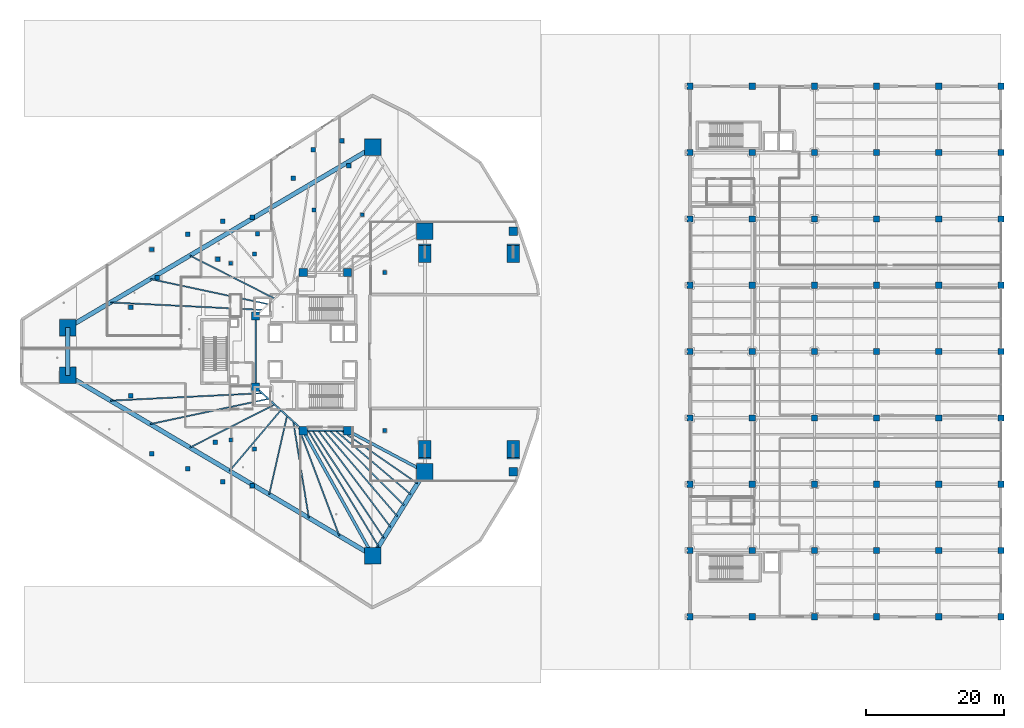
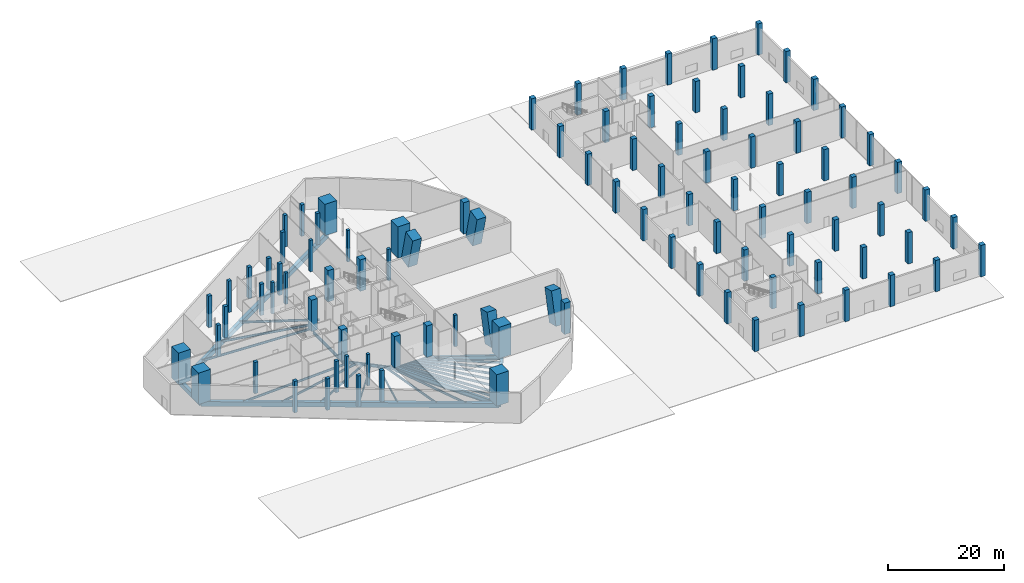
# One storey, part 1 of 45: 98 columns, 26 beams.
"""IFC4 building model written with IfcOpenShell, lengths in metres."""

from ifc_helpers import new_model, si_unit, direction, frame, origin, origin_2d, place, context, subcontext, project, spatial, rectangle, i_section, extrude, material, material_profile, profile_set, type_object, element, save


model = new_model("IFC4")

# Units and contexts
model_context = context("Model", 3, precision=1e-05, world=origin(), true_north=direction((0.0, 1.0)))
body_context = subcontext(model_context, "Body", "Model", "MODEL_VIEW")
ifc_project = project(units=[si_unit("LENGTHUNIT", "METRE"), si_unit("AREAUNIT", "SQUARE_METRE"), si_unit("VOLUMEUNIT", "CUBIC_METRE"), si_unit("PLANEANGLEUNIT", "RADIAN"), si_unit("MASSUNIT", "GRAM", prefix="KILO")], contexts=[model_context])

# Site, building, storey
site_placement = place(None, origin())
site = spatial("IfcSite", under=ifc_project, at=site_placement, CompositionType="ELEMENT")
building_placement = place(site_placement, origin())
building = spatial("IfcBuilding", under=site, at=building_placement, Name="Qorvath Tower", CompositionType="ELEMENT")
storey_placement = place(building_placement, origin())
storey = spatial("IfcBuildingStorey", under=building, at=storey_placement, Name="L00", CompositionType="ELEMENT", Elevation=0.0)

# Columns
ifc_material_1 = material(Name="Concrete C70/85", Category="concrete")
ifc_material_profile_1 = material_profile(ifc_material_1, rectangle(XDim=1.800048828125, YDim=2.39990234375, at=origin_2d()), Name="ARCH 2400x1800")
ifc_profile_set_1 = profile_set([ifc_material_profile_1], Name="Concrete C70/85")
column_type_1 = type_object("IfcColumnType", Name="COL-ARCH1", PredefinedType="PILASTER", material=ifc_profile_set_1)
for number, where, z_axis, x_axis, name in (
    (1, (6.800048828125, 14.386962890625, 0.053466796875), (0.0, -0.235582246127, 0.971854415697), (1.0, 0.0, 0.0), "Giant Concrete Arch Rib Chord ARCH-FRONT-N-L00"),
    (2, (6.800048828125, -14.386962890625, 0.053466796875), (0.0, 0.235582246127, 0.971854415697), (-1.0, 0.0, 0.0), "Giant Concrete Arch Rib Chord ARCH-FRONT-S-L00"),
    (3, (-6.0, 14.386962890625, 0.053466796875), (0.0, -0.235582246127, 0.971854415697), (1.0, 0.0, 0.0), "Giant Concrete Arch Rib Chord ARCH-INNER-N-L00"),
    (4, (-6.0, -14.386962890625, 0.053466796875), (0.0, 0.235582246127, 0.971854415697), (-1.0, 0.0, 0.0), "Giant Concrete Arch Rib Chord ARCH-INNER-S-L00"),
):
    element("IfcColumn", number, at=place(storey_placement, frame(where, z_axis=z_axis, x_axis=x_axis)), inside=storey, type_object=column_type_1, Name=name, PredefinedType="PILASTER", context=body_context, shape_type="SweptSolid", body=[
        extrude(rectangle(XDim=1.800048828125, YDim=2.39990234375, at=origin_2d()), origin(), (0.0, 0.0, 1.0), 6.68115234375),
    ])
ifc_material_2 = material(Name="Concrete C70/85", Category="concrete")
ifc_material_profile_2 = material_profile(ifc_material_2, rectangle(XDim=2.39990234375, YDim=2.39990234375, at=origin_2d()), Name="MC 2400x2400")
ifc_profile_set_2 = profile_set([ifc_material_profile_2], Name="Concrete C70/85")
column_type_2 = type_object("IfcColumnType", Name="COL-MC1", PredefinedType="COLUMN", material=ifc_profile_set_2)
for number, where, z_axis, x_axis, name in (
    (5, (-57.679931640625, 3.4560546875, 0.0), (0.0, 0.0, 1.0), (1.0, 0.0, 0.0), "Composite Mega-Column MC1 L00"),
    (6, (-57.679931640625, -3.4560546875, 0.0), (0.0, 0.0, 1.0), (1.0, 0.0, 0.0), "Composite Mega-Column MC2 L00"),
    (7, (-13.52001953125, -29.568115234375, 0.0), (0.0, 0.0, 1.0), (1.0, 0.0, 0.0), "Composite Mega-Column MC3 L00"),
    (8, (-6.0, -17.39990234375, 0.0), (0.0, 0.0, 1.0), (1.0, 0.0, 0.0), "Composite Mega-Column MC4 L00"),
    (9, (-6.0, 17.39990234375, 0.0), (0.0, 0.0, 1.0), (1.0, 0.0, 0.0), "Composite Mega-Column MC5 L00"),
    (10, (-13.52001953125, 29.568115234375, 0.0), (0.0, 0.0, 1.0), (1.0, 0.0, 0.0), "Composite Mega-Column MC6 L00"),
):
    element("IfcColumn", number, at=place(storey_placement, frame(where, z_axis=z_axis, x_axis=x_axis)), inside=storey, type_object=column_type_2, Name=name, PredefinedType="COLUMN", context=body_context, shape_type="SweptSolid", body=[
        extrude(rectangle(XDim=2.39990234375, YDim=2.39990234375, at=origin_2d()), origin(), (0.0, 0.0, 1.0), 6.60009765625),
    ])
ifc_material_3 = material(Name="Concrete C60/75", Category="concrete")
ifc_material_profile_3 = material_profile(ifc_material_3, rectangle(XDim=1.199951171875, YDim=1.199951171875, at=origin_2d()), Name="RC 1200x1200")
ifc_profile_set_3 = profile_set([ifc_material_profile_3], Name="Concrete C60/75")
column_type_3 = type_object("IfcColumnType", Name="COL-RC1", PredefinedType="COLUMN", material=ifc_profile_set_3)
for number, where, z_axis, x_axis, name in (
    (11, (6.800048828125, 17.39990234375, 0.0), (0.0, 0.0, 1.0), (1.0, 0.0, 0.0), "Arch Portal Pier FRONT-N L00"),
    (12, (6.800048828125, -17.39990234375, 0.0), (0.0, 0.0, 1.0), (1.0, 0.0, 0.0), "Arch Portal Pier FRONT-S L00"),
    (13, (-23.60009765625, 11.449951171875, 0.0), (0.0, 0.0, 1.0), (1.0, 0.0, 0.0), "Core Spine Column CC1 L00"),
    (14, (-17.199951171875, 11.449951171875, 0.0), (0.0, 0.0, 1.0), (1.0, 0.0, 0.0), "Core Spine Column CC2 L00"),
    (15, (-17.199951171875, -11.449951171875, 0.0), (0.0, 0.0, 1.0), (1.0, 0.0, 0.0), "Core Spine Column CC3 L00"),
    (16, (-23.60009765625, -11.449951171875, 0.0), (0.0, 0.0, 1.0), (1.0, 0.0, 0.0), "Core Spine Column CC4 L00"),
    (17, (-30.5, 5.14990234375, 0.0), (0.0, 0.0, 1.0), (1.0, 0.0, 0.0), "Core Spine Column CC5 L00"),
    (18, (-30.5, -5.14990234375, 0.0), (0.0, 0.0, 1.0), (1.0, 0.0, 0.0), "Core Spine Column CC6 L00"),
):
    element("IfcColumn", number, at=place(storey_placement, frame(where, z_axis=z_axis, x_axis=x_axis)), inside=storey, type_object=column_type_3, Name=name, PredefinedType="COLUMN", context=body_context, shape_type="SweptSolid", body=[
        extrude(rectangle(XDim=1.199951171875, YDim=1.199951171875, at=origin_2d()), origin(), (0.0, 0.0, 1.0), 6.60009765625),
    ])
ifc_material_4 = material(Name="Concrete C50/60", Category="concrete")
ifc_material_profile_4 = material_profile(ifc_material_4, rectangle(XDim=0.89990234375, YDim=0.89990234375, at=origin_2d()), Name="RC 900x900")
ifc_profile_set_4 = profile_set([ifc_material_profile_4], Name="Concrete C50/60")
column_type_4 = type_object("IfcColumnType", Name="COL-RC3", PredefinedType="COLUMN", material=ifc_profile_set_4)
for number, where, z_axis, x_axis, name in (
    (19, (32.39990234375, -38.39990234375, 0.0), (0.0, 0.0, 1.0), (1.0, 0.0, 0.0), "Library Column 1-1 L00"),
    (20, (32.39990234375, -28.800048828125, 0.0), (0.0, 0.0, 1.0), (1.0, 0.0, 0.0), "Library Column 1-2 L00"),
    (21, (32.39990234375, -19.199951171875, 0.0), (0.0, 0.0, 1.0), (1.0, 0.0, 0.0), "Library Column 1-3 L00"),
    (22, (32.39990234375, -9.60009765625, 0.0), (0.0, 0.0, 1.0), (1.0, 0.0, 0.0), "Library Column 1-4 L00"),
    (23, (32.39990234375, 0.0, 0.0), (0.0, 0.0, 1.0), (1.0, 0.0, 0.0), "Library Column 1-5 L00"),
    (24, (32.39990234375, 9.60009765625, 0.0), (0.0, 0.0, 1.0), (1.0, 0.0, 0.0), "Library Column 1-6 L00"),
    (25, (32.39990234375, 19.199951171875, 0.0), (0.0, 0.0, 1.0), (1.0, 0.0, 0.0), "Library Column 1-7 L00"),
    (26, (32.39990234375, 28.800048828125, 0.0), (0.0, 0.0, 1.0), (1.0, 0.0, 0.0), "Library Column 1-8 L00"),
    (27, (32.39990234375, 38.39990234375, 0.0), (0.0, 0.0, 1.0), (1.0, 0.0, 0.0), "Library Column 1-9 L00"),
    (28, (41.39990234375, -38.39990234375, 0.0), (0.0, 0.0, 1.0), (1.0, 0.0, 0.0), "Library Column 2-1 L00"),
    (29, (41.39990234375, -28.800048828125, 0.0), (0.0, 0.0, 1.0), (1.0, 0.0, 0.0), "Library Column 2-2 L00"),
    (30, (41.39990234375, -19.199951171875, 0.0), (0.0, 0.0, 1.0), (1.0, 0.0, 0.0), "Library Column 2-3 L00"),
    (31, (41.39990234375, -9.60009765625, 0.0), (0.0, 0.0, 1.0), (1.0, 0.0, 0.0), "Library Column 2-4 L00"),
    (32, (41.39990234375, 0.0, 0.0), (0.0, 0.0, 1.0), (1.0, 0.0, 0.0), "Library Column 2-5 L00"),
    (33, (41.39990234375, 9.60009765625, 0.0), (0.0, 0.0, 1.0), (1.0, 0.0, 0.0), "Library Column 2-6 L00"),
    (34, (41.39990234375, 19.199951171875, 0.0), (0.0, 0.0, 1.0), (1.0, 0.0, 0.0), "Library Column 2-7 L00"),
    (35, (41.39990234375, 28.800048828125, 0.0), (0.0, 0.0, 1.0), (1.0, 0.0, 0.0), "Library Column 2-8 L00"),
    (36, (41.39990234375, 38.39990234375, 0.0), (0.0, 0.0, 1.0), (1.0, 0.0, 0.0), "Library Column 2-9 L00"),
    (37, (50.39990234375, -38.39990234375, 0.0), (0.0, 0.0, 1.0), (1.0, 0.0, 0.0), "Library Column 3-1 L00"),
    (38, (50.39990234375, -28.800048828125, 0.0), (0.0, 0.0, 1.0), (1.0, 0.0, 0.0), "Library Column 3-2 L00"),
    (39, (50.39990234375, -19.199951171875, 0.0), (0.0, 0.0, 1.0), (1.0, 0.0, 0.0), "Library Column 3-3 L00"),
    (40, (50.39990234375, -9.60009765625, 0.0), (0.0, 0.0, 1.0), (1.0, 0.0, 0.0), "Library Column 3-4 L00"),
    (41, (50.39990234375, 0.0, 0.0), (0.0, 0.0, 1.0), (1.0, 0.0, 0.0), "Library Column 3-5 L00"),
    (42, (50.39990234375, 9.60009765625, 0.0), (0.0, 0.0, 1.0), (1.0, 0.0, 0.0), "Library Column 3-6 L00"),
    (43, (50.39990234375, 19.199951171875, 0.0), (0.0, 0.0, 1.0), (1.0, 0.0, 0.0), "Library Column 3-7 L00"),
    (44, (50.39990234375, 28.800048828125, 0.0), (0.0, 0.0, 1.0), (1.0, 0.0, 0.0), "Library Column 3-8 L00"),
    (45, (50.39990234375, 38.39990234375, 0.0), (0.0, 0.0, 1.0), (1.0, 0.0, 0.0), "Library Column 3-9 L00"),
    (46, (59.39990234375, -38.39990234375, 0.0), (0.0, 0.0, 1.0), (1.0, 0.0, 0.0), "Library Column 4-1 L00"),
    (47, (59.39990234375, -28.800048828125, 0.0), (0.0, 0.0, 1.0), (1.0, 0.0, 0.0), "Library Column 4-2 L00"),
    (48, (59.39990234375, -19.199951171875, 0.0), (0.0, 0.0, 1.0), (1.0, 0.0, 0.0), "Library Column 4-3 L00"),
    (49, (59.39990234375, -9.60009765625, 0.0), (0.0, 0.0, 1.0), (1.0, 0.0, 0.0), "Library Column 4-4 L00"),
    (50, (59.39990234375, 0.0, 0.0), (0.0, 0.0, 1.0), (1.0, 0.0, 0.0), "Library Column 4-5 L00"),
    (51, (59.39990234375, 9.60009765625, 0.0), (0.0, 0.0, 1.0), (1.0, 0.0, 0.0), "Library Column 4-6 L00"),
    (52, (59.39990234375, 19.199951171875, 0.0), (0.0, 0.0, 1.0), (1.0, 0.0, 0.0), "Library Column 4-7 L00"),
    (53, (59.39990234375, 28.800048828125, 0.0), (0.0, 0.0, 1.0), (1.0, 0.0, 0.0), "Library Column 4-8 L00"),
    (54, (59.39990234375, 38.39990234375, 0.0), (0.0, 0.0, 1.0), (1.0, 0.0, 0.0), "Library Column 4-9 L00"),
    (55, (68.39990234375, -38.39990234375, 0.0), (0.0, 0.0, 1.0), (1.0, 0.0, 0.0), "Library Column 5-1 L00"),
    (56, (68.39990234375, -28.800048828125, 0.0), (0.0, 0.0, 1.0), (1.0, 0.0, 0.0), "Library Column 5-2 L00"),
    (57, (68.39990234375, -19.199951171875, 0.0), (0.0, 0.0, 1.0), (1.0, 0.0, 0.0), "Library Column 5-3 L00"),
    (58, (68.39990234375, -9.60009765625, 0.0), (0.0, 0.0, 1.0), (1.0, 0.0, 0.0), "Library Column 5-4 L00"),
    (59, (68.39990234375, 0.0, 0.0), (0.0, 0.0, 1.0), (1.0, 0.0, 0.0), "Library Column 5-5 L00"),
    (60, (68.39990234375, 9.60009765625, 0.0), (0.0, 0.0, 1.0), (1.0, 0.0, 0.0), "Library Column 5-6 L00"),
    (61, (68.39990234375, 19.199951171875, 0.0), (0.0, 0.0, 1.0), (1.0, 0.0, 0.0), "Library Column 5-7 L00"),
    (62, (68.39990234375, 28.800048828125, 0.0), (0.0, 0.0, 1.0), (1.0, 0.0, 0.0), "Library Column 5-8 L00"),
    (63, (68.39990234375, 38.39990234375, 0.0), (0.0, 0.0, 1.0), (1.0, 0.0, 0.0), "Library Column 5-9 L00"),
    (64, (77.39990234375, -38.39990234375, 0.0), (0.0, 0.0, 1.0), (1.0, 0.0, 0.0), "Library Column 6-1 L00"),
    (65, (77.39990234375, -28.800048828125, 0.0), (0.0, 0.0, 1.0), (1.0, 0.0, 0.0), "Library Column 6-2 L00"),
    (66, (77.39990234375, -19.199951171875, 0.0), (0.0, 0.0, 1.0), (1.0, 0.0, 0.0), "Library Column 6-3 L00"),
    (67, (77.39990234375, -9.60009765625, 0.0), (0.0, 0.0, 1.0), (1.0, 0.0, 0.0), "Library Column 6-4 L00"),
    (68, (77.39990234375, 0.0, 0.0), (0.0, 0.0, 1.0), (1.0, 0.0, 0.0), "Library Column 6-5 L00"),
    (69, (77.39990234375, 9.60009765625, 0.0), (0.0, 0.0, 1.0), (1.0, 0.0, 0.0), "Library Column 6-6 L00"),
    (70, (77.39990234375, 19.199951171875, 0.0), (0.0, 0.0, 1.0), (1.0, 0.0, 0.0), "Library Column 6-7 L00"),
    (71, (77.39990234375, 28.800048828125, 0.0), (0.0, 0.0, 1.0), (1.0, 0.0, 0.0), "Library Column 6-8 L00"),
    (72, (77.39990234375, 38.39990234375, 0.0), (0.0, 0.0, 1.0), (1.0, 0.0, 0.0), "Library Column 6-9 L00"),
):
    element("IfcColumn", number, at=place(storey_placement, frame(where, z_axis=z_axis, x_axis=x_axis)), inside=storey, type_object=column_type_4, Name=name, PredefinedType="COLUMN", context=body_context, shape_type="SweptSolid", body=[
        extrude(rectangle(XDim=0.89990234375, YDim=0.89990234375, at=origin_2d()), origin(), (0.0, 0.0, 1.0), 6.60009765625),
    ])
ifc_material_5 = material(Name="Concrete C45/55", Category="concrete")
ifc_material_profile_5 = material_profile(ifc_material_5, rectangle(XDim=0.64990234375, YDim=0.64990234375, at=origin_2d()), Name="RC 650x650")
ifc_profile_set_5 = profile_set([ifc_material_profile_5], Name="Concrete C45/55")
column_type_5 = type_object("IfcColumnType", Name="COL-RC6", PredefinedType="COLUMN", material=ifc_profile_set_5)
for number, where, z_axis, x_axis, name in (
    (73, (-45.536376953125, 14.774658203125, 0.0), (0.0, 0.0, 1.0), (1.0, 0.0, 0.0), "Loggia Frame Pier Column LGA1 L00"),
    (74, (-45.536376953125, -14.774658203125, 0.0), (0.0, 0.0, 1.0), (1.0, 0.0, 0.0), "Loggia Frame Pier Column LGA2 L00"),
    (75, (-22.13134765625, 29.20556640625, 0.0), (0.0, 0.0, 1.0), (1.0, 0.0, 0.0), "Loggia Frame Pier Column LGA3 L00"),
    (76, (-40.33251953125, 16.955810546875, 0.0), (0.0, 0.0, 1.0), (1.0, 0.0, 0.0), "Loggia Frame Pier Column LGB1 L00"),
    (77, (-40.33251953125, -16.955810546875, 0.0), (0.0, 0.0, 1.0), (1.0, 0.0, 0.0), "Loggia Frame Pier Column LGB2 L00"),
    (78, (-18.0, 30.5, 0.0), (0.0, 0.0, 1.0), (1.0, 0.0, 0.0), "Loggia Frame Pier Column LGB3 L00"),
    (79, (-35.251708984375, 18.829345703125, 0.0), (0.0, 0.0, 1.0), (1.0, 0.0, 0.0), "Loggia Frame Pier Column LGC1 L00"),
    (80, (-35.251708984375, -18.829345703125, 0.0), (0.0, 0.0, 1.0), (1.0, 0.0, 0.0), "Loggia Frame Pier Column LGC2 L00"),
    (81, (-25.03759765625, 25.058837890625, 0.0), (0.0, 0.0, 1.0), (1.0, 0.0, 0.0), "Loggia Frame Pier Column LGC3 L00"),
    (82, (-31.01611328125, 19.46044921875, 0.0), (0.0, 0.0, 1.0), (1.0, 0.0, 0.0), "Loggia Frame Pier Column LGD1 L00"),
    (83, (-31.01611328125, -19.46044921875, 0.0), (0.0, 0.0, 1.0), (1.0, 0.0, 0.0), "Loggia Frame Pier Column LGD2 L00"),
    (84, (-44.736328125, 10.65234375, 0.0), (0.0, 0.0, 1.0), (1.0, 0.0, 0.0), "Loggia Frame Pier Column LGD3 L00"),
    (85, (-48.578369140625, 6.424560546875, 0.0), (0.0, 0.0, 1.0), (1.0, 0.0, 0.0), "Loggia Frame Pier Column LGE1 L00"),
    (86, (-48.578369140625, -6.424560546875, 0.0), (0.0, 0.0, 1.0), (1.0, 0.0, 0.0), "Loggia Frame Pier Column LGE2 L00"),
    (87, (-16.981201171875, 26.92919921875, 0.0), (0.0, 0.0, 1.0), (1.0, 0.0, 0.0), "Loggia Frame Pier Column LGE3 L00"),
    (88, (-35.980712890625, 13.380859375, 0.0), (0.0, 0.0, 1.0), (1.0, 0.0, 0.0), "Loggia Frame Pier Column LGF1 L00"),
    (89, (-36.36474609375, -13.135498046875, 0.0), (0.0, 0.0, 1.0), (1.0, 0.0, 0.0), "Loggia Frame Pier Column LGF2 L00"),
    (90, (-30.224853515625, 17.0595703125, 0.0), (0.0, 0.0, 1.0), (1.0, 0.0, 0.0), "Loggia Frame Pier Column LGF3 L00"),
):
    element("IfcColumn", number, at=place(storey_placement, frame(where, z_axis=z_axis, x_axis=x_axis)), inside=storey, type_object=column_type_5, Name=name, PredefinedType="COLUMN", context=body_context, shape_type="SweptSolid", body=[
        extrude(rectangle(XDim=0.64990234375, YDim=0.64990234375, at=origin_2d()), origin(), (0.0, 0.0, 1.0), 6.60009765625),
    ])
ifc_material_6 = material(Name="Concrete C45/55", Category="concrete")
ifc_material_profile_6 = material_profile(ifc_material_6, rectangle(XDim=0.550048828125, YDim=0.550048828125, at=origin_2d()), Name="RC 550x550")
ifc_profile_set_6 = profile_set([ifc_material_profile_6], Name="Concrete C45/55")
column_type_6 = type_object("IfcColumnType", Name="COL-RC7", PredefinedType="COLUMN", material=ifc_profile_set_6)
for number, where, z_axis, x_axis, name in (
    (91, (-34.104248046875, 12.79248046875, 0.0), (0.0, 0.0, 1.0), (1.0, 0.0, 0.0), "Loggia Frame Pier Column LGG1 L00"),
    (92, (-34.104248046875, -12.79248046875, 0.0), (0.0, 0.0, 1.0), (1.0, 0.0, 0.0), "Loggia Frame Pier Column LGG2 L00"),
    (93, (-22.05322265625, 20.494873046875, 0.0), (0.0, 0.0, 1.0), (1.0, 0.0, 0.0), "Loggia Frame Pier Column LGG3 L00"),
    (94, (-30.67724609375, 14.124267578125, 0.0), (0.0, 0.0, 1.0), (1.0, 0.0, 0.0), "Loggia Frame Pier Column LGH1 L00"),
    (95, (-30.67724609375, -14.124267578125, 0.0), (0.0, 0.0, 1.0), (1.0, 0.0, 0.0), "Loggia Frame Pier Column LGH2 L00"),
    (96, (-15.046142578125, 19.818115234375, 0.0), (0.0, 0.0, 1.0), (1.0, 0.0, 0.0), "Loggia Frame Pier Column LGH3 L00"),
    (97, (-11.800048828125, -11.449951171875, 0.0), (0.0, 0.0, 1.0), (1.0, 0.0, 0.0), "Central Slot Jamb Column SC1 L00"),
    (98, (-11.800048828125, 11.449951171875, 0.0), (0.0, 0.0, 1.0), (1.0, 0.0, 0.0), "Central Slot Jamb Column SC2 L00"),
):
    element("IfcColumn", number, at=place(storey_placement, frame(where, z_axis=z_axis, x_axis=x_axis)), inside=storey, type_object=column_type_6, Name=name, PredefinedType="COLUMN", context=body_context, shape_type="SweptSolid", body=[
        extrude(rectangle(XDim=0.550048828125, YDim=0.550048828125, at=origin_2d()), origin(), (0.0, 0.0, 1.0), 6.60009765625),
    ])

# Beams
ifc_material_7 = material(Name="Steel ASTM A992 Grade 50", Category="steel")
ifc_material_profile_7 = material_profile(ifc_material_7, i_section(OverallWidth=0.422119140625, OverallDepth=0.93310546875, WebThickness=0.021240234375, FlangeThickness=0.039794921875, FilletRadius=0.02392578125, at=origin_2d()), Name="W36x262")
ifc_profile_set_7 = profile_set([ifc_material_profile_7], Name="Steel ASTM A992 Grade 50")
beam_type_1 = type_object("IfcBeamType", Name="BM-FG1", PredefinedType="BEAM", material=ifc_profile_set_7)
beam_1_placement = place(storey_placement, frame((-17.199951171875, -11.449951171875, -0.7666015625), z_axis=(0.883116467191, -0.469153818461, 0.0), x_axis=(0.469153818461, 0.883116467191, 0.0)))
element("IfcBeam", 99, at=beam_1_placement, inside=storey, type_object=beam_type_1, Name="Radial Floor Girder CC3-MC4 L00", PredefinedType="BEAM", context=body_context, shape_type="SweptSolid", body=[
    extrude(i_section(OverallWidth=0.422119140625, OverallDepth=0.93310546875, WebThickness=0.021240234375, FlangeThickness=0.039794921875, FilletRadius=0.02392578125, at=origin_2d()), origin(), (0.0, 0.0, 1.0), 12.682373046875),
])
beam_2_placement = place(storey_placement, frame((-23.60009765625, -11.449951171875, -0.7666015625), z_axis=(0.486174725137, -0.873861623278, 0.0), x_axis=(0.873861623278, 0.486174725137, 0.0)))
element("IfcBeam", 100, at=beam_2_placement, inside=storey, type_object=beam_type_1, Name="Radial Floor Girder CC4-MC3 L00", PredefinedType="BEAM", context=body_context, shape_type="SweptSolid", body=[
    extrude(i_section(OverallWidth=0.422119140625, OverallDepth=0.93310546875, WebThickness=0.021240234375, FlangeThickness=0.039794921875, FilletRadius=0.02392578125, at=origin_2d()), origin(), (0.0, 0.0, 1.0), 20.7333984375),
])
ifc_material_8 = material(Name="Steel ASTM A992 Grade 50", Category="steel")
ifc_material_profile_8 = material_profile(ifc_material_8, i_section(OverallWidth=0.22998046875, OverallDepth=0.616943359375, WebThickness=0.01318359375, FlangeThickness=0.022216796875, FilletRadius=0.014892578125, at=origin_2d()), Name="W24x94")
ifc_profile_set_8 = profile_set([ifc_material_profile_8], Name="Steel ASTM A992 Grade 50")
beam_type_2 = type_object("IfcBeamType", Name="BM-FG6", PredefinedType="BEAM", material=ifc_profile_set_8)
beam_3_placement = place(storey_placement, frame((-17.199951171875, -11.449951171875, -0.6083984375), z_axis=(-1.0, 0.0, 0.0), x_axis=(0.0, -1.0, 0.0)))
element("IfcBeam", 101, at=beam_3_placement, inside=storey, type_object=beam_type_2, Name="Core Ring Girder CC3-CC4 L00", PredefinedType="BEAM", context=body_context, shape_type="SweptSolid", body=[
    extrude(i_section(OverallWidth=0.22998046875, OverallDepth=0.616943359375, WebThickness=0.01318359375, FlangeThickness=0.022216796875, FilletRadius=0.014892578125, at=origin_2d()), origin(), (0.0, 0.0, 1.0), 6.400146484375),
])
beam_4_placement = place(storey_placement, frame((-23.60009765625, -11.449951171875, -0.6083984375), z_axis=(-0.73847813985, 0.6742774184, 0.0), x_axis=(-0.6742774184, -0.73847813985, 0.0)))
element("IfcBeam", 102, at=beam_4_placement, inside=storey, type_object=beam_type_2, Name="Core Ring Girder CC4-CC6 L00", PredefinedType="BEAM", context=body_context, shape_type="SweptSolid", body=[
    extrude(i_section(OverallWidth=0.22998046875, OverallDepth=0.616943359375, WebThickness=0.01318359375, FlangeThickness=0.022216796875, FilletRadius=0.014892578125, at=origin_2d()), origin(), (0.0, 0.0, 1.0), 9.343505859375),
])
beam_5_placement = place(storey_placement, frame((-30.5, -5.14990234375, -0.6083984375), z_axis=(0.0, 1.0, 0.0), x_axis=(-1.0, 0.0, 0.0)))
element("IfcBeam", 103, at=beam_5_placement, inside=storey, type_object=beam_type_2, Name="Core Ring Girder CC6-CC5 L00", PredefinedType="BEAM", context=body_context, shape_type="SweptSolid", body=[
    extrude(i_section(OverallWidth=0.22998046875, OverallDepth=0.616943359375, WebThickness=0.01318359375, FlangeThickness=0.022216796875, FilletRadius=0.014892578125, at=origin_2d()), origin(), (0.0, 0.0, 1.0), 10.2998046875),
])
ifc_material_9 = material(Name="Steel ASTM A992 Grade 50", Category="steel")
ifc_material_profile_9 = material_profile(ifc_material_9, i_section(OverallWidth=0.18994140625, OverallDepth=0.45703125, WebThickness=0.009033203125, FlangeThickness=0.014404296875, FilletRadius=0.011962890625, at=origin_2d()), Name="W18x50")
ifc_profile_set_9 = profile_set([ifc_material_profile_9], Name="Steel ASTM A992 Grade 50")
beam_type_3 = type_object("IfcBeamType", Name="BM-FJ2", PredefinedType="JOIST", material=ifc_profile_set_9)
beam_6_placement = place(storey_placement, frame((-18.095947265625, -11.449951171875, -0.528564453125), z_axis=(0.821904266501, -0.569625646111, 0.0), x_axis=(0.569625646111, 0.821904266501, 0.0)))
element("IfcBeam", 104, at=beam_6_placement, inside=storey, type_object=beam_type_3, Name="Composite Floor Joist SE1 L00", PredefinedType="JOIST", context=body_context, shape_type="SweptSolid", body=[
    extrude(i_section(OverallWidth=0.18994140625, OverallDepth=0.45703125, WebThickness=0.009033203125, FlangeThickness=0.014404296875, FilletRadius=0.011962890625, at=origin_2d()), origin(), (0.0, 0.0, 1.0), 13.43603515625),
])
beam_7_placement = place(storey_placement, frame((-18.927978515625, -11.449951171875, -0.528564453125), z_axis=(0.762888170757, -0.646530462483, 0.0), x_axis=(0.646530462483, 0.762888170757, 0.0)))
element("IfcBeam", 105, at=beam_7_placement, inside=storey, type_object=beam_type_3, Name="Composite Floor Joist SE2 L00", PredefinedType="JOIST", context=body_context, shape_type="SweptSolid", body=[
    extrude(i_section(OverallWidth=0.18994140625, OverallDepth=0.45703125, WebThickness=0.009033203125, FlangeThickness=0.014404296875, FilletRadius=0.011962890625, at=origin_2d()), origin(), (0.0, 0.0, 1.0), 14.284423828125),
])
beam_8_placement = place(storey_placement, frame((-19.760009765625, -11.449951171875, -0.528564453125), z_axis=(0.704966562097, -0.709240541935, 0.0), x_axis=(0.709240541935, 0.704966562097, 0.0)))
element("IfcBeam", 106, at=beam_8_placement, inside=storey, type_object=beam_type_3, Name="Composite Floor Joist SE3 L00", PredefinedType="JOIST", context=body_context, shape_type="SweptSolid", body=[
    extrude(i_section(OverallWidth=0.18994140625, OverallDepth=0.45703125, WebThickness=0.009033203125, FlangeThickness=0.014404296875, FilletRadius=0.011962890625, at=origin_2d()), origin(), (0.0, 0.0, 1.0), 15.251708984375),
])
beam_9_placement = place(storey_placement, frame((-20.592041015625, -11.449951171875, -0.528564453125), z_axis=(0.650034471724, -0.759904721376, 0.0), x_axis=(0.759904721376, 0.650034471724, 0.0)))
element("IfcBeam", 107, at=beam_9_placement, inside=storey, type_object=beam_type_3, Name="Composite Floor Joist SE4 L00", PredefinedType="JOIST", context=body_context, shape_type="SweptSolid", body=[
    extrude(i_section(OverallWidth=0.18994140625, OverallDepth=0.45703125, WebThickness=0.009033203125, FlangeThickness=0.014404296875, FilletRadius=0.011962890625, at=origin_2d()), origin(), (0.0, 0.0, 1.0), 16.316650390625),
])
beam_10_placement = place(storey_placement, frame((-21.424072265625, -11.449951171875, -0.528564453125), z_axis=(0.599091356813, -0.800680676794, 0.0), x_axis=(0.800680676794, 0.599091356813, 0.0)))
element("IfcBeam", 108, at=beam_10_placement, inside=storey, type_object=beam_type_3, Name="Composite Floor Joist SE5 L00", PredefinedType="JOIST", context=body_context, shape_type="SweptSolid", body=[
    extrude(i_section(OverallWidth=0.18994140625, OverallDepth=0.45703125, WebThickness=0.009033203125, FlangeThickness=0.014404296875, FilletRadius=0.011962890625, at=origin_2d()), origin(), (0.0, 0.0, 1.0), 17.46142578125),
])
beam_11_placement = place(storey_placement, frame((-22.256103515625, -11.449951171875, -0.528564453125), z_axis=(0.552474288131, -0.833529940047, 0.0), x_axis=(0.833529940047, 0.552474288131, 0.0)))
element("IfcBeam", 109, at=beam_11_placement, inside=storey, type_object=beam_type_3, Name="Composite Floor Joist SE6 L00", PredefinedType="JOIST", context=body_context, shape_type="SweptSolid", body=[
    extrude(i_section(OverallWidth=0.18994140625, OverallDepth=0.45703125, WebThickness=0.009033203125, FlangeThickness=0.014404296875, FilletRadius=0.011962890625, at=origin_2d()), origin(), (0.0, 0.0, 1.0), 18.6708984375),
])
beam_12_placement = place(storey_placement, frame((-22.89599609375, -11.449951171875, -0.528564453125), z_axis=(0.519556443318, -0.854436131145, 0.0), x_axis=(0.854436131145, 0.519556443318, 0.0)))
element("IfcBeam", 110, at=beam_12_placement, inside=storey, type_object=beam_type_3, Name="Composite Floor Joist SE7 L00", PredefinedType="JOIST", context=body_context, shape_type="SweptSolid", body=[
    extrude(i_section(OverallWidth=0.18994140625, OverallDepth=0.45703125, WebThickness=0.009033203125, FlangeThickness=0.014404296875, FilletRadius=0.011962890625, at=origin_2d()), origin(), (0.0, 0.0, 1.0), 19.63818359375),
])
beam_13_placement = place(storey_placement, frame((-29.533935546875, 6.031982421875, -0.528564453125), z_axis=(-0.998794149334, 0.04909426907, 0.0), x_axis=(-0.04909426907, -0.998794149334, 0.0)))
element("IfcBeam", 111, at=beam_13_placement, inside=storey, type_object=beam_type_3, Name="Composite Floor Joist NW1 L00", PredefinedType="JOIST", context=body_context, shape_type="SweptSolid", body=[
    extrude(i_section(OverallWidth=0.18994140625, OverallDepth=0.45703125, WebThickness=0.009033203125, FlangeThickness=0.014404296875, FilletRadius=0.011962890625, at=origin_2d()), origin(), (0.0, 0.0, 1.0), 21.990234375),
])
beam_14_placement = place(storey_placement, frame((-28.636962890625, 6.85107421875, -0.528564453125), z_axis=(-0.977957459776, 0.208804230962, 0.0), x_axis=(-0.208804230962, -0.977957459776, 0.0)))
element("IfcBeam", 112, at=beam_14_placement, inside=storey, type_object=beam_type_3, Name="Composite Floor Joist NW2 L00", PredefinedType="JOIST", context=body_context, shape_type="SweptSolid", body=[
    extrude(i_section(OverallWidth=0.18994140625, OverallDepth=0.45703125, WebThickness=0.009033203125, FlangeThickness=0.014404296875, FilletRadius=0.011962890625, at=origin_2d()), origin(), (0.0, 0.0, 1.0), 17.505859375),
])
beam_15_placement = place(storey_placement, frame((-27.739990234375, 7.669921875, -0.528564453125), z_axis=(-0.891711806986, 0.452603638166, 0.0), x_axis=(-0.452603638166, -0.891711806986, 0.0)))
element("IfcBeam", 113, at=beam_15_placement, inside=storey, type_object=beam_type_3, Name="Composite Floor Joist NW3 L00", PredefinedType="JOIST", context=body_context, shape_type="SweptSolid", body=[
    extrude(i_section(OverallWidth=0.18994140625, OverallDepth=0.45703125, WebThickness=0.009033203125, FlangeThickness=0.014404296875, FilletRadius=0.011962890625, at=origin_2d()), origin(), (0.0, 0.0, 1.0), 13.766845703125),
])
beam_16_placement = place(storey_placement, frame((-29.533935546875, -6.031982421875, -0.528564453125), z_axis=(-0.998794149334, -0.04909426907, 0.0), x_axis=(0.04909426907, -0.998794149334, 0.0)))
element("IfcBeam", 114, at=beam_16_placement, inside=storey, type_object=beam_type_3, Name="Composite Floor Joist SW1 L00", PredefinedType="JOIST", context=body_context, shape_type="SweptSolid", body=[
    extrude(i_section(OverallWidth=0.18994140625, OverallDepth=0.45703125, WebThickness=0.009033203125, FlangeThickness=0.014404296875, FilletRadius=0.011962890625, at=origin_2d()), origin(), (0.0, 0.0, 1.0), 21.990234375),
])
beam_17_placement = place(storey_placement, frame((-28.636962890625, -6.85107421875, -0.528564453125), z_axis=(-0.977957459776, -0.208804230962, 0.0), x_axis=(0.208804230962, -0.977957459776, 0.0)))
element("IfcBeam", 115, at=beam_17_placement, inside=storey, type_object=beam_type_3, Name="Composite Floor Joist SW2 L00", PredefinedType="JOIST", context=body_context, shape_type="SweptSolid", body=[
    extrude(i_section(OverallWidth=0.18994140625, OverallDepth=0.45703125, WebThickness=0.009033203125, FlangeThickness=0.014404296875, FilletRadius=0.011962890625, at=origin_2d()), origin(), (0.0, 0.0, 1.0), 17.505859375),
])
beam_18_placement = place(storey_placement, frame((-27.739990234375, -7.669921875, -0.528564453125), z_axis=(-0.891711806986, -0.452603638166, 0.0), x_axis=(0.452603638166, -0.891711806986, 0.0)))
element("IfcBeam", 116, at=beam_18_placement, inside=storey, type_object=beam_type_3, Name="Composite Floor Joist SW3 L00", PredefinedType="JOIST", context=body_context, shape_type="SweptSolid", body=[
    extrude(i_section(OverallWidth=0.18994140625, OverallDepth=0.45703125, WebThickness=0.009033203125, FlangeThickness=0.014404296875, FilletRadius=0.011962890625, at=origin_2d()), origin(), (0.0, 0.0, 1.0), 13.766845703125),
])
beam_19_placement = place(storey_placement, frame((-26.843017578125, -8.489013671875, -0.528564453125), z_axis=(-0.644958726494, -0.764217404355, 0.0), x_axis=(0.764217404355, -0.644958726494, 0.0)))
element("IfcBeam", 117, at=beam_19_placement, inside=storey, type_object=beam_type_3, Name="Composite Floor Joist SW4 L00", PredefinedType="JOIST", context=body_context, shape_type="SweptSolid", body=[
    extrude(i_section(OverallWidth=0.18994140625, OverallDepth=0.45703125, WebThickness=0.009033203125, FlangeThickness=0.014404296875, FilletRadius=0.011962890625, at=origin_2d()), origin(), (0.0, 0.0, 1.0), 11.5234375),
])
beam_20_placement = place(storey_placement, frame((-25.946044921875, -9.30810546875, -0.528564453125), z_axis=(-0.221751282053, -0.975103260639, 0.0), x_axis=(0.975103260639, -0.221751282053, 0.0)))
element("IfcBeam", 118, at=beam_20_placement, inside=storey, type_object=beam_type_3, Name="Composite Floor Joist SW5 L00", PredefinedType="JOIST", context=body_context, shape_type="SweptSolid", body=[
    extrude(i_section(OverallWidth=0.18994140625, OverallDepth=0.45703125, WebThickness=0.009033203125, FlangeThickness=0.014404296875, FilletRadius=0.011962890625, at=origin_2d()), origin(), (0.0, 0.0, 1.0), 11.67236328125),
])
beam_21_placement = place(storey_placement, frame((-25.049072265625, -10.126953125, -0.528564453125), z_axis=(0.159519083064, -0.987194845073, 0.0), x_axis=(0.987194845073, 0.159519083064, 0.0)))
element("IfcBeam", 119, at=beam_21_placement, inside=storey, type_object=beam_type_3, Name="Composite Floor Joist SW6 L00", PredefinedType="JOIST", context=body_context, shape_type="SweptSolid", body=[
    extrude(i_section(OverallWidth=0.18994140625, OverallDepth=0.45703125, WebThickness=0.009033203125, FlangeThickness=0.014404296875, FilletRadius=0.011962890625, at=origin_2d()), origin(), (0.0, 0.0, 1.0), 14.138671875),
])
beam_22_placement = place(storey_placement, frame((-24.35888671875, -10.757080078125, -0.528564453125), z_axis=(0.351338742889, -0.936248411344, 0.0), x_axis=(0.936248411344, 0.351338742889, 0.0)))
element("IfcBeam", 120, at=beam_22_placement, inside=storey, type_object=beam_type_3, Name="Composite Floor Joist SW7 L00", PredefinedType="JOIST", context=body_context, shape_type="SweptSolid", body=[
    extrude(i_section(OverallWidth=0.18994140625, OverallDepth=0.45703125, WebThickness=0.009033203125, FlangeThickness=0.014404296875, FilletRadius=0.011962890625, at=origin_2d()), origin(), (0.0, 0.0, 1.0), 17.02392578125),
])
ifc_material_10 = material(Name="Concrete C50/60", Category="concrete")
ifc_material_profile_10 = material_profile(ifc_material_10, rectangle(XDim=0.64990234375, YDim=1.0, at=origin_2d()), Name="RCB 1000x650")
ifc_profile_set_10 = profile_set([ifc_material_profile_10], Name="Concrete C50/60")
beam_type_4 = type_object("IfcBeamType", Name="BM-RCB1", PredefinedType="SPANDREL", material=ifc_profile_set_10)
beam_23_placement = place(storey_placement, frame((-57.679931640625, 3.4560546875, -0.800048828125), z_axis=(0.0, -1.0, 0.0), x_axis=(1.0, 0.0, 0.0)))
element("IfcBeam", 121, at=beam_23_placement, inside=storey, type_object=beam_type_4, Name="Perimeter Loggia Frame Beam MC1-MC2 L00", PredefinedType="SPANDREL", context=body_context, shape_type="SweptSolid", body=[
    extrude(rectangle(XDim=0.64990234375, YDim=1.0, at=origin_2d()), origin(), (0.0, 0.0, 1.0), 6.912109375),
])
beam_24_placement = place(storey_placement, frame((-57.679931640625, -3.4560546875, -0.800048828125), z_axis=(0.860776517711, -0.50898309064, 0.0), x_axis=(0.50898309064, 0.860776517711, 0.0)))
element("IfcBeam", 122, at=beam_24_placement, inside=storey, type_object=beam_type_4, Name="Perimeter Loggia Frame Beam MC2-MC3 L00", PredefinedType="SPANDREL", context=body_context, shape_type="SweptSolid", body=[
    extrude(rectangle(XDim=0.64990234375, YDim=1.0, at=origin_2d()), origin(), (0.0, 0.0, 1.0), 51.302490234375),
])
beam_25_placement = place(storey_placement, frame((-13.52001953125, -29.568115234375, -0.800048828125), z_axis=(0.525713426157, 0.850661738624, 0.0), x_axis=(-0.850661738624, 0.525713426157, 0.0)))
element("IfcBeam", 123, at=beam_25_placement, inside=storey, type_object=beam_type_4, Name="Perimeter Loggia Frame Beam MC3-MC4 L00", PredefinedType="SPANDREL", context=body_context, shape_type="SweptSolid", body=[
    extrude(rectangle(XDim=0.64990234375, YDim=1.0, at=origin_2d()), origin(), (0.0, 0.0, 1.0), 14.304443359375),
])
beam_26_placement = place(storey_placement, frame((-13.52001953125, 29.568115234375, -0.800048828125), z_axis=(-0.860776517711, -0.50898309064, 0.0), x_axis=(0.50898309064, -0.860776517711, 0.0)))
element("IfcBeam", 124, at=beam_26_placement, inside=storey, type_object=beam_type_4, Name="Perimeter Loggia Frame Beam MC6-MC1 L00", PredefinedType="SPANDREL", context=body_context, shape_type="SweptSolid", body=[
    extrude(rectangle(XDim=0.64990234375, YDim=1.0, at=origin_2d()), origin(), (0.0, 0.0, 1.0), 51.302490234375),
])

save(model, "model.ifc")
